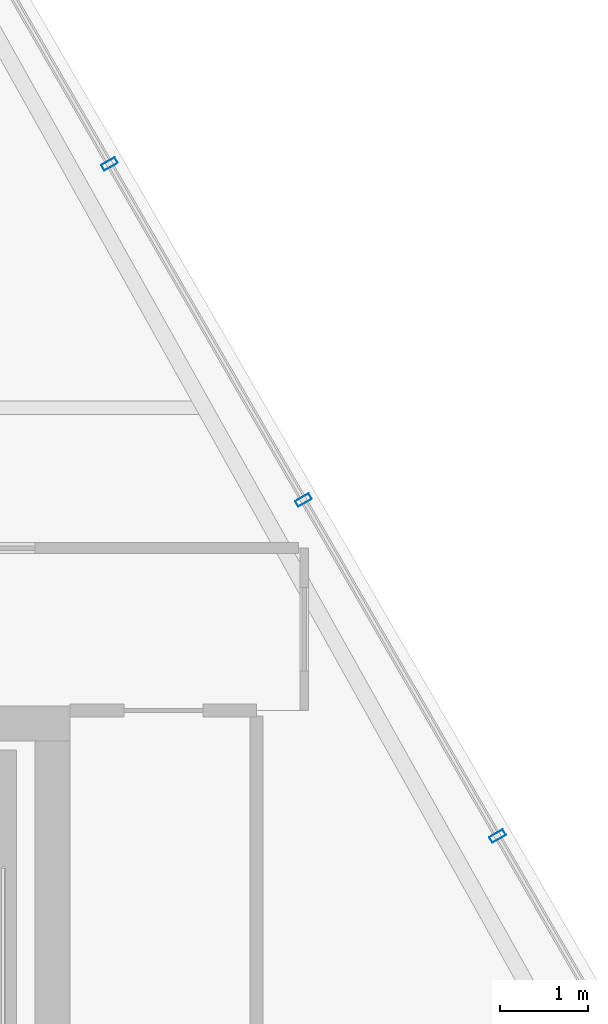
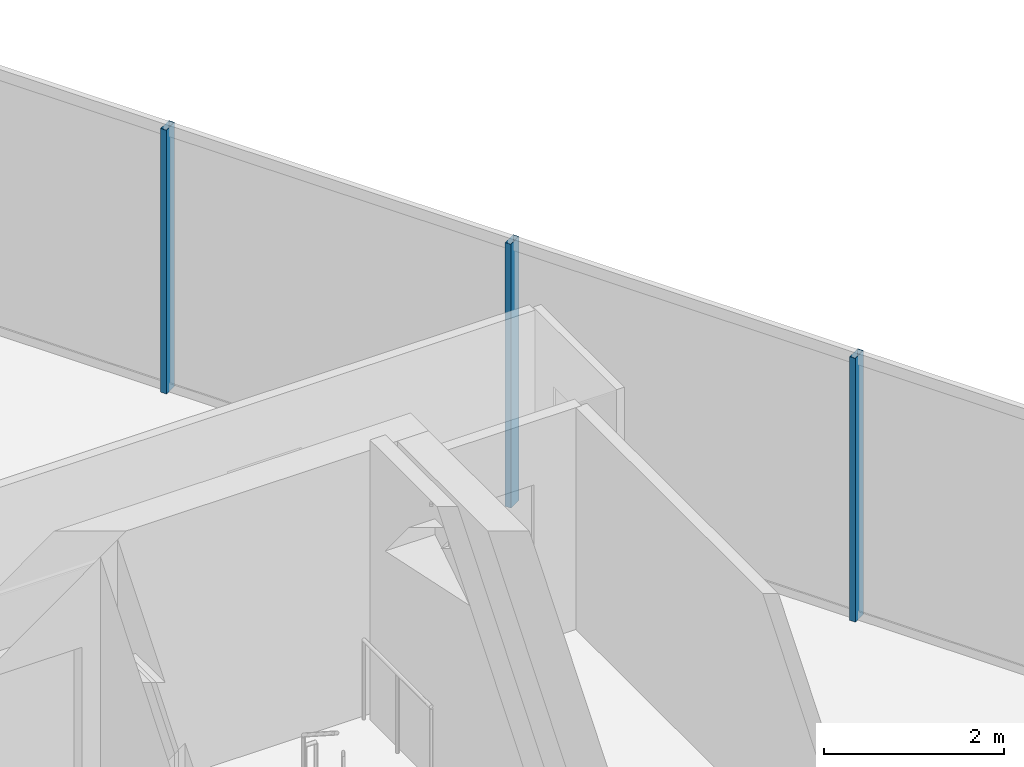
# One storey, part 24 of 34: 3 members, 1 element without a shape of its own.
"""IFC4 building model written with IfcOpenShell, lengths in metres."""

from ifc_helpers import new_model, si_unit, direction, frame, origin, origin_2d, place, context, subcontext, project, spatial, hollow_rectangle, extrude, material, layer, layer_set, material_profile, profile_set, type_object, element, aggregate, save


model = new_model("IFC4")

# Units and contexts
model_context = context("Model", 3, precision=1e-05, world=origin(), true_north=direction((0.0, 1.0)))
body_context = subcontext(model_context, "Body", "Model", "MODEL_VIEW")
ifc_project = project(units=[si_unit("LENGTHUNIT", "METRE"), si_unit("AREAUNIT", "SQUARE_METRE"), si_unit("VOLUMEUNIT", "CUBIC_METRE"), si_unit("PLANEANGLEUNIT", "RADIAN"), si_unit("MASSUNIT", "GRAM", prefix="KILO")], contexts=[model_context])

# Site, building, storey
site_placement = place(None, origin())
site = spatial("IfcSite", under=ifc_project, at=site_placement, CompositionType="ELEMENT")
building_placement = place(site_placement, origin())
building = spatial("IfcBuilding", under=site, at=building_placement, Name="Ndaravel Arena Tower", CompositionType="ELEMENT")
storey_placement = place(building_placement, frame((0.0, 0.0, 267.39990234375)))
storey = spatial("IfcBuildingStorey", under=building, at=storey_placement, Name="L65", CompositionType="ELEMENT", Elevation=267.39990234375)

# Curtain wall, members
ifc_material_1 = material(Name="Aluminium", Category="aluminium")
ifc_layer = layer(ifc_material_1, 0.179931640625)
ifc_layer_set = layer_set([ifc_layer], Name="Aluminium")
curtain_wall_type = type_object("IfcCurtainWallType", Name="CW-SYS-03", PredefinedType="NOTDEFINED", material=ifc_layer_set)
curtain_wall_placement = place(storey_placement, origin())
curtain_wall = element("IfcCurtainWall", 1, at=curtain_wall_placement, inside=storey, type_object=curtain_wall_type, Name="L65 Faceted Crystal Curtain Wall CW-L65-E03", PredefinedType="NOTDEFINED")
ifc_material_2 = material(Name="Aluminium", Category="aluminium")
ifc_material_profile = material_profile(ifc_material_2, hollow_rectangle(XDim=0.074951171875, YDim=0.179931640625, WallThickness=0.00390625, at=origin_2d()), Name="CW MULLION 75x180x4")
ifc_profile_set = profile_set([ifc_material_profile], Name="Aluminium")
member_type = type_object("IfcMemberType", Name="MEM-CW-MUL180", PredefinedType="MULLION", material=ifc_profile_set)
member_1_placement = place(storey_placement, frame((62.419921875, 13.71875, 0.0), z_axis=(0.0, 0.0, 1.0), x_axis=(-0.5, 0.866025403784, 0.0)))
member_1 = element("IfcMember", 2, at=member_1_placement, type_object=member_type, Name="CW-L65-E03 Mullion 01", PredefinedType="MULLION", context=body_context, shape_type="SweptSolid", body=[
    extrude(hollow_rectangle(XDim=0.074951171875, YDim=0.179931640625, WallThickness=0.00390625, at=origin_2d()), origin(), (0.0, 0.0, 1.0), 3.580078125),
])
member_2_placement = place(storey_placement, frame((60.208740234375, 17.548583984375, 0.0), z_axis=(0.0, 0.0, 1.0), x_axis=(-0.5, 0.866025403784, 0.0)))
member_2 = element("IfcMember", 3, at=member_2_placement, type_object=member_type, Name="CW-L65-E03 Mullion 02", PredefinedType="MULLION", context=body_context, shape_type="SweptSolid", body=[
    extrude(hollow_rectangle(XDim=0.074951171875, YDim=0.179931640625, WallThickness=0.00390625, at=origin_2d()), origin(), (0.0, 0.0, 1.0), 3.580078125),
])
member_3_placement = place(storey_placement, frame((57.99755859375, 21.378662109375, 0.0), z_axis=(0.0, 0.0, 1.0), x_axis=(-0.5, 0.866025403784, 0.0)))
member_3 = element("IfcMember", 4, at=member_3_placement, type_object=member_type, Name="CW-L65-E03 Mullion 03", PredefinedType="MULLION", context=body_context, shape_type="SweptSolid", body=[
    extrude(hollow_rectangle(XDim=0.074951171875, YDim=0.179931640625, WallThickness=0.00390625, at=origin_2d()), origin(), (0.0, 0.0, 1.0), 3.580078125),
])
aggregate(curtain_wall, [member_1, member_2, member_3])

save(model, "model.ifc")
